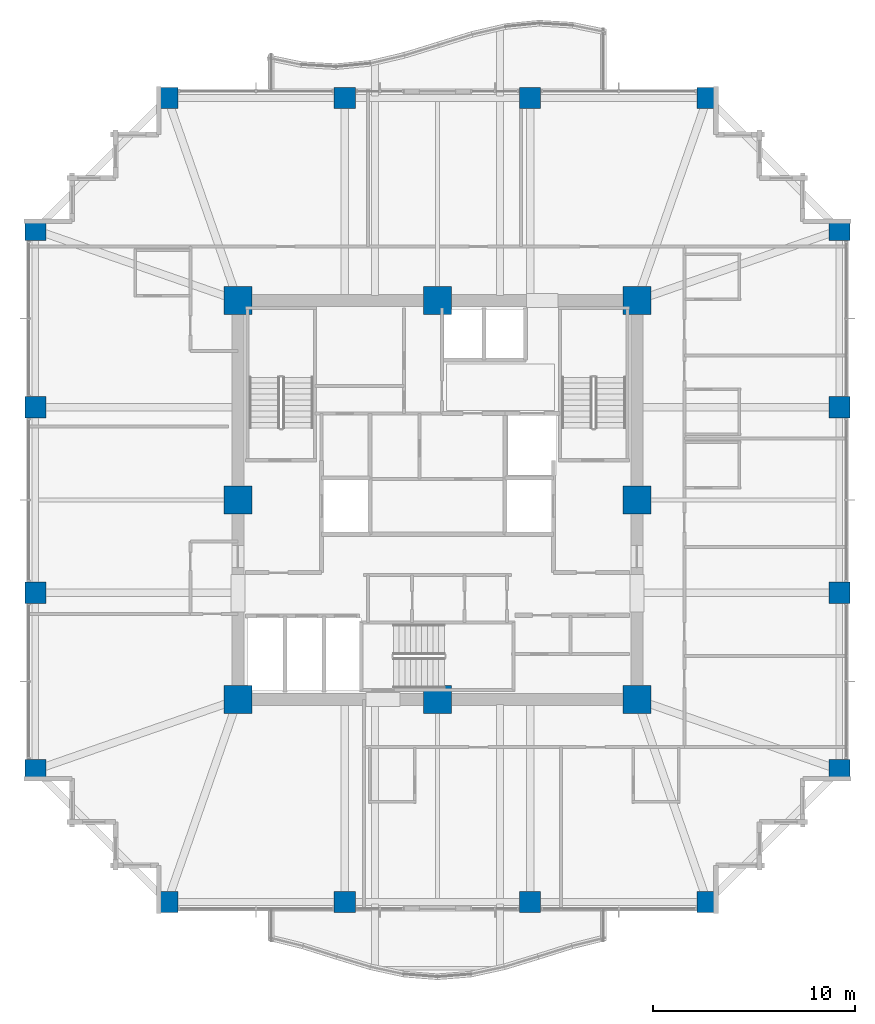
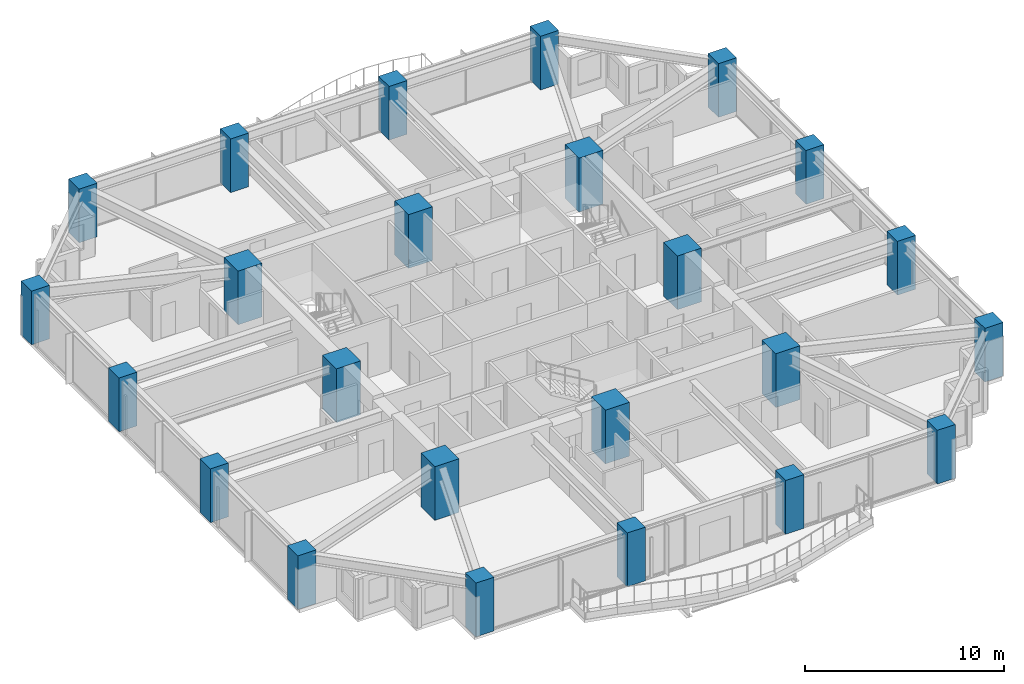
# One storey, part 1 of 38: 24 columns.
"""IFC4 building model written with IfcOpenShell, lengths in metres."""

from ifc_helpers import new_model, si_unit, direction, frame, origin, origin_2d, place, context, subcontext, project, spatial, rectangle, extrude, material, material_profile, profile_set, type_object, element, save


model = new_model("IFC4")

# Units and contexts
model_context = context("Model", 3, precision=1e-05, world=origin(), true_north=direction((0.0, 1.0)))
body_context = subcontext(model_context, "Body", "Model", "MODEL_VIEW")
ifc_project = project(units=[si_unit("LENGTHUNIT", "METRE"), si_unit("AREAUNIT", "SQUARE_METRE"), si_unit("VOLUMEUNIT", "CUBIC_METRE"), si_unit("PLANEANGLEUNIT", "RADIAN"), si_unit("MASSUNIT", "GRAM", prefix="KILO")], contexts=[model_context])

# Site, building, storey
site_placement = place(None, origin())
site = spatial("IfcSite", under=ifc_project, at=site_placement, CompositionType="ELEMENT")
building_placement = place(site_placement, origin())
building = spatial("IfcBuilding", under=site, at=building_placement, Name="Kolvaren Belvedere", CompositionType="ELEMENT")
storey_placement = place(building_placement, frame((0.0, 0.0, 98.60009765625)))
storey = spatial("IfcBuildingStorey", under=building, at=storey_placement, Name="L28", CompositionType="ELEMENT", Elevation=98.60009765625)

# Columns
ifc_material_1 = material(Name="Concrete C50/60", Category="concrete")
ifc_material_profile_1 = material_profile(ifc_material_1, rectangle(XDim=1.050048828125, YDim=1.050048828125, at=origin_2d()), Name="RC 1050X1050")
ifc_profile_set_1 = profile_set([ifc_material_profile_1], Name="Concrete C50/60")
column_type_1 = type_object("IfcColumnType", Name="COL-RC-1050", PredefinedType="COLUMN", material=ifc_profile_set_1)
for number, where, z_axis, x_axis, name in (
    (1, (-13.39990234375, -19.949951171875, 0.0), (0.0, 0.0, 1.0), (1.0, 0.0, 0.0), "L28 Perimeter Column S1"),
    (2, (-4.60009765625, -19.949951171875, 0.0), (0.0, 0.0, 1.0), (1.0, 0.0, 0.0), "L28 Perimeter Column S2"),
    (3, (4.60009765625, -19.949951171875, 0.0), (0.0, 0.0, 1.0), (1.0, 0.0, 0.0), "L28 Perimeter Column S3"),
    (4, (13.39990234375, -19.949951171875, 0.0), (0.0, 0.0, 1.0), (1.0, 0.0, 0.0), "L28 Perimeter Column S4"),
    (5, (-13.39990234375, 19.949951171875, 0.0), (0.0, 0.0, 1.0), (1.0, 0.0, 0.0), "L28 Perimeter Column N1"),
    (6, (-4.60009765625, 19.949951171875, 0.0), (0.0, 0.0, 1.0), (1.0, 0.0, 0.0), "L28 Perimeter Column N2"),
    (7, (4.60009765625, 19.949951171875, 0.0), (0.0, 0.0, 1.0), (1.0, 0.0, 0.0), "L28 Perimeter Column N3"),
    (8, (13.39990234375, 19.949951171875, 0.0), (0.0, 0.0, 1.0), (1.0, 0.0, 0.0), "L28 Perimeter Column N4"),
    (9, (-19.949951171875, -13.39990234375, 0.0), (0.0, 0.0, 1.0), (1.0, 0.0, 0.0), "L28 Perimeter Column W1"),
    (10, (-19.949951171875, -4.60009765625, 0.0), (0.0, 0.0, 1.0), (1.0, 0.0, 0.0), "L28 Perimeter Column W2"),
    (11, (-19.949951171875, 4.60009765625, 0.0), (0.0, 0.0, 1.0), (1.0, 0.0, 0.0), "L28 Perimeter Column W3"),
    (12, (-19.949951171875, 13.39990234375, 0.0), (0.0, 0.0, 1.0), (1.0, 0.0, 0.0), "L28 Perimeter Column W4"),
    (13, (19.949951171875, -13.39990234375, 0.0), (0.0, 0.0, 1.0), (1.0, 0.0, 0.0), "L28 Perimeter Column E1"),
    (14, (19.949951171875, -4.60009765625, 0.0), (0.0, 0.0, 1.0), (1.0, 0.0, 0.0), "L28 Perimeter Column E2"),
    (15, (19.949951171875, 4.60009765625, 0.0), (0.0, 0.0, 1.0), (1.0, 0.0, 0.0), "L28 Perimeter Column E3"),
    (16, (19.949951171875, 13.39990234375, 0.0), (0.0, 0.0, 1.0), (1.0, 0.0, 0.0), "L28 Perimeter Column E4"),
):
    element("IfcColumn", number, at=place(storey_placement, frame(where, z_axis=z_axis, x_axis=x_axis)), inside=storey, type_object=column_type_1, Name=name, PredefinedType="COLUMN", context=body_context, shape_type="SweptSolid", body=[
        extrude(rectangle(XDim=1.050048828125, YDim=1.050048828125, at=origin_2d()), origin(), (0.0, 0.0, 1.0), 3.2998046875),
    ])
ifc_material_2 = material(Name="Concrete C60/75", Category="concrete")
ifc_material_profile_2 = material_profile(ifc_material_2, rectangle(XDim=1.39990234375, YDim=1.39990234375, at=origin_2d()), Name="RC 1400X1400")
ifc_profile_set_2 = profile_set([ifc_material_profile_2], Name="Concrete C60/75")
column_type_2 = type_object("IfcColumnType", Name="COL-RC-1400", PredefinedType="COLUMN", material=ifc_profile_set_2)
for number, where, z_axis, x_axis, name in (
    (17, (-9.89990234375, -9.89990234375, 0.0), (0.0, 0.0, 1.0), (1.0, 0.0, 0.0), "L28 Core Column CC1"),
    (18, (9.89990234375, -9.89990234375, 0.0), (0.0, 0.0, 1.0), (1.0, 0.0, 0.0), "L28 Core Column CC2"),
    (19, (9.89990234375, 9.89990234375, 0.0), (0.0, 0.0, 1.0), (1.0, 0.0, 0.0), "L28 Core Column CC3"),
    (20, (-9.89990234375, 9.89990234375, 0.0), (0.0, 0.0, 1.0), (1.0, 0.0, 0.0), "L28 Core Column CC4"),
    (21, (0.0, -9.89990234375, 0.0), (0.0, 0.0, 1.0), (1.0, 0.0, 0.0), "L28 Core Column CM1"),
    (22, (9.89990234375, 0.0, 0.0), (0.0, 0.0, 1.0), (1.0, 0.0, 0.0), "L28 Core Column CM2"),
    (23, (0.0, 9.89990234375, 0.0), (0.0, 0.0, 1.0), (1.0, 0.0, 0.0), "L28 Core Column CM3"),
    (24, (-9.89990234375, 0.0, 0.0), (0.0, 0.0, 1.0), (1.0, 0.0, 0.0), "L28 Core Column CM4"),
):
    element("IfcColumn", number, at=place(storey_placement, frame(where, z_axis=z_axis, x_axis=x_axis)), inside=storey, type_object=column_type_2, Name=name, PredefinedType="COLUMN", context=body_context, shape_type="SweptSolid", body=[
        extrude(rectangle(XDim=1.39990234375, YDim=1.39990234375, at=origin_2d()), origin(), (0.0, 0.0, 1.0), 3.2998046875),
    ])

save(model, "model.ifc")
